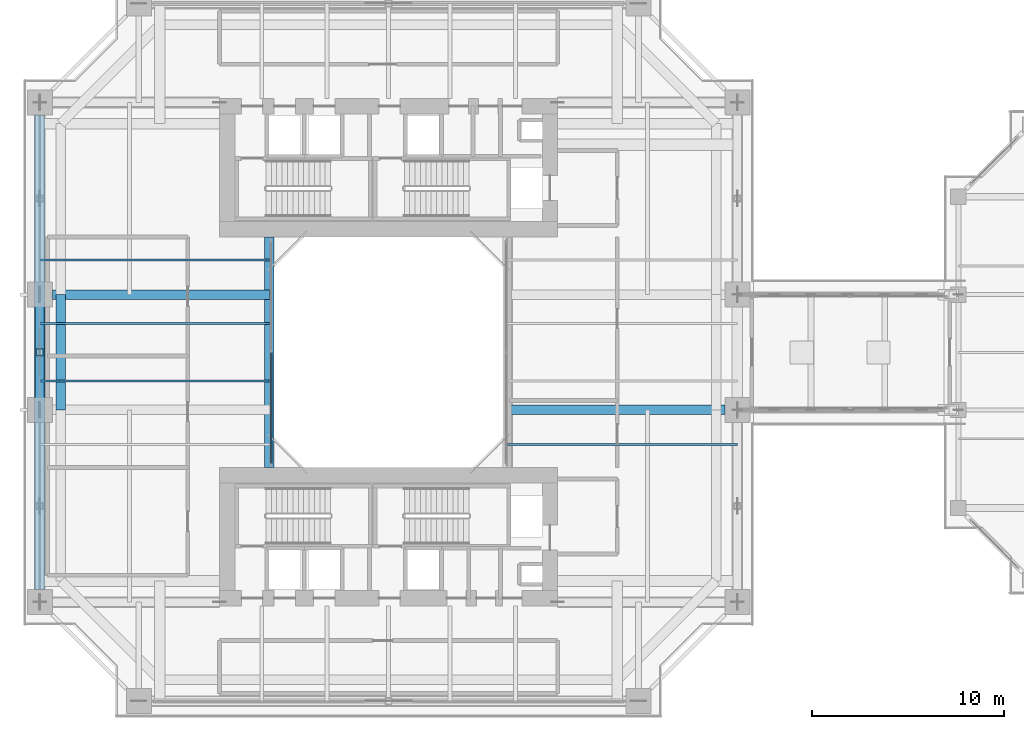
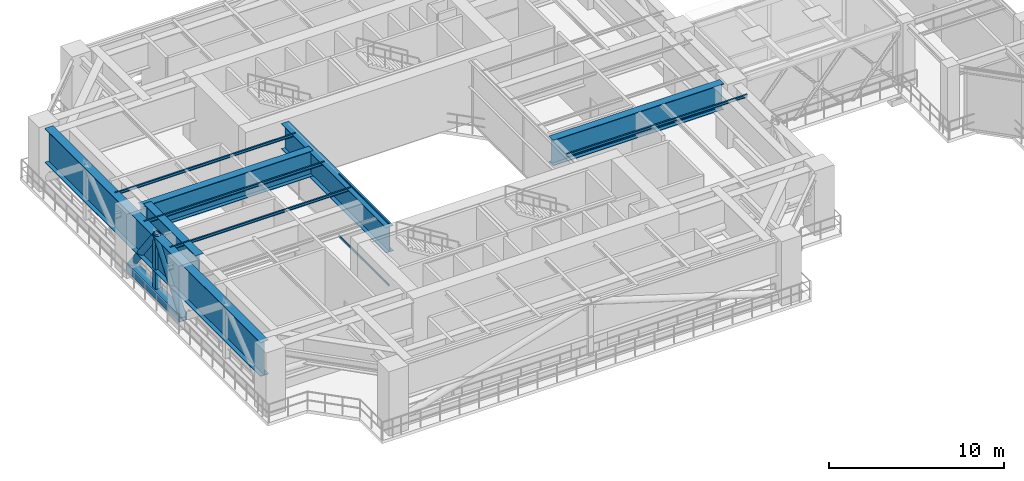
# One storey, part 3 of 25: 9 beams, 6 members, 1 element without a shape of its own.
"""IFC4 building model written with IfcOpenShell, lengths in metres."""

from ifc_helpers import new_model, si_unit, direction, frame, origin, origin_2d, place, context, subcontext, project, spatial, rectangle, hollow_rectangle, hollow_circle, i_section, extrude, source, transform, mapped, material, layer, layer_set, material_profile, profile_set, type_object, element, aggregate, save


model = new_model("IFC4")

# Units and contexts
model_context = context("Model", 3, precision=1e-05, world=origin(), true_north=direction((0.0, 1.0)))
body_context = subcontext(model_context, "Body", "Model", "MODEL_VIEW")
ifc_project = project(units=[si_unit("LENGTHUNIT", "METRE"), si_unit("AREAUNIT", "SQUARE_METRE"), si_unit("VOLUMEUNIT", "CUBIC_METRE"), si_unit("PLANEANGLEUNIT", "RADIAN"), si_unit("MASSUNIT", "GRAM", prefix="KILO"), si_unit("THERMODYNAMICTEMPERATUREUNIT", "KELVIN"), si_unit("POWERUNIT", "WATT")], contexts=[model_context])

# Site, building, storey
site_placement = place(None, origin())
site = spatial("IfcSite", under=ifc_project, at=site_placement, CompositionType="ELEMENT")
building_placement = place(site_placement, origin())
building = spatial("IfcBuilding", under=site, at=building_placement, Name="Qiaomeng Ring Towers", CompositionType="ELEMENT")
storey_placement = place(building_placement, frame((0.0, 0.0, 92.5)))
storey = spatial("IfcBuildingStorey", under=building, at=storey_placement, Name="L26", CompositionType="ELEMENT", Elevation=92.5)

# Beams
ifc_material_1 = material(Name="Steel Q355B", Category="steel")
ifc_material_profile_1 = material_profile(ifc_material_1, i_section(OverallWidth=0.10009765625, OverallDepth=0.199951171875, WebThickness=0.005615234375, FlangeThickness=0.008056640625, FilletRadius=0.010986328125, at=origin_2d()), Name="HN 200x100x5.5x8")
ifc_profile_set_1 = profile_set([ifc_material_profile_1], Name="Steel Q355B")
beam_type_1 = type_object("IfcBeamType", Name="STR-BM-HN200", PredefinedType="JOIST", material=ifc_profile_set_1)
shared_shape_1 = source(origin(), body_context, "Body", "SweptSolid", [
    extrude(i_section(OverallWidth=0.10009765625, OverallDepth=0.199951171875, WebThickness=0.005615234375, FlangeThickness=0.008056640625, FilletRadius=0.010986328125, at=origin_2d()), origin(), (0.0, 0.0, 1.0), 11.949951171875),
])
for number, where, z_axis, x_axis, name in (
    (1, (25.199951171875, 18.199951171875, 4.219970703125), (1.0, 0.0, 0.0), (0.0, 1.0, 0.0), "L26 beam STR-JST-L26-T1E-1"),
    (2, (0.85009765625, 21.5, 4.219970703125), (1.0, 0.0, 0.0), (0.0, 1.0, 0.0), "L26 beam STR-JST-L26-T1W-2"),
    (3, (0.85009765625, 24.5, 4.219970703125), (1.0, 0.0, 0.0), (0.0, 1.0, 0.0), "L26 beam STR-JST-L26-T1W-3"),
    (4, (0.85009765625, 27.800048828125, 4.219970703125), (1.0, 0.0, 0.0), (0.0, 1.0, 0.0), "L26 beam STR-JST-L26-T1W-4"),
):
    element("IfcBeam", number, at=place(storey_placement, frame(where, z_axis=z_axis, x_axis=x_axis)), inside=storey, type_object=beam_type_1, Name=name, PredefinedType="JOIST", context=body_context, shape_type="MappedRepresentation", body=[
        mapped(shared_shape_1, transform((0.0, 0.0, 0.0), x_axis=(1.0, 0.0, 0.0), y_axis=(0.0, 1.0, 0.0), z_axis=(0.0, 0.0, 1.0), scale=1.0)),
    ])

# Members
ifc_material_2 = material(Name="Steel Q390GJC", Category="steel")
ifc_material_profile_2 = material_profile(ifc_material_2, hollow_rectangle(XDim=0.35009765625, YDim=0.35009765625, WallThickness=0.02001953125, at=origin_2d()), Name="SHS 350x350x20")
ifc_profile_set_2 = profile_set([ifc_material_profile_2], Name="Steel Q390GJC")
member_type_1 = type_object("IfcMemberType", Name="STR-MB-POST-350", PredefinedType="POST", material=ifc_profile_set_2)
shared_shape_2 = source(origin(), body_context, "Body", "SweptSolid", [
    extrude(hollow_rectangle(XDim=0.35009765625, YDim=0.35009765625, WallThickness=0.02001953125, at=origin_2d()), origin(), (0.0, 0.0, 1.0), 4.0),
])
member_1_placement = place(storey_placement, frame((0.85009765625, 23.0, 0.320068359375), z_axis=(0.0, 0.0, 1.0), x_axis=(1.0, 0.0, 0.0)))
element("IfcMember", 5, at=member_1_placement, inside=storey, type_object=member_type_1, Name="L26 Belt Truss Post W3-W2", PredefinedType="POST", context=body_context, shape_type="MappedRepresentation", body=[
    mapped(shared_shape_2, transform((0.0, 0.0, 0.0), x_axis=(1.0, 0.0, 0.0), y_axis=(0.0, 1.0, 0.0), z_axis=(0.0, 0.0, 1.0), scale=1.0)),
])
ifc_material_profile_3 = material_profile(ifc_material_2, hollow_rectangle(XDim=0.550048828125, YDim=0.550048828125, WallThickness=0.031982421875, at=origin_2d()), Name="SHS 550x550x32")
ifc_profile_set_3 = profile_set([ifc_material_profile_3], Name="Steel Q390GJC")
member_type_2 = type_object("IfcMemberType", Name="STR-MB-CHORD-550", PredefinedType="CHORD", material=ifc_profile_set_3)
shared_shape_3 = source(origin(), body_context, "Body", "SweptSolid", [
    extrude(hollow_rectangle(XDim=0.550048828125, YDim=0.550048828125, WallThickness=0.031982421875, at=origin_2d()), origin(), (0.0, 0.0, 1.0), 6.0),
])
member_2_placement = place(storey_placement, frame((0.85009765625, 26.0, 0.320068359375), z_axis=(0.0, -1.0, 0.0), x_axis=(1.0, 0.0, 0.0)))
element("IfcMember", 6, at=member_2_placement, inside=storey, type_object=member_type_2, Name="L26 Belt Truss Bottom Chord W3-W2", PredefinedType="CHORD", context=body_context, shape_type="MappedRepresentation", body=[
    mapped(shared_shape_3, transform((0.0, 0.0, 0.0), x_axis=(1.0, 0.0, 0.0), y_axis=(0.0, 1.0, 0.0), z_axis=(0.0, 0.0, 1.0), scale=1.0)),
])
ifc_material_profile_4 = material_profile(ifc_material_2, hollow_circle(Radius=0.228515625, WallThickness=0.028076171875, at=origin_2d()), Name="CHS 457x28")
ifc_profile_set_4 = profile_set([ifc_material_profile_4], Name="Steel Q390GJC")
member_type_3 = type_object("IfcMemberType", Name="STR-MB-BR-457", PredefinedType="BRACE", material=ifc_profile_set_4)
shared_shape_4 = source(origin(), body_context, "Body", "SweptSolid", [
    extrude(hollow_circle(Radius=0.228515625, WallThickness=0.028076171875, at=origin_2d()), origin(), (0.0, 0.0, 1.0), 4.98388671875),
])
for number, where, z_axis, x_axis, name in (
    (7, (0.85009765625, 26.0, 0.320068359375), (0.0, -0.601926302674, 0.798551642757), (1.0, 0.0, 0.0), "L26 Belt Truss Diagonal W3-M"),
    (8, (0.85009765625, 20.0, 0.320068359375), (0.0, 0.601926302674, 0.798551642757), (-1.0, 0.0, 0.0), "L26 Belt Truss Diagonal W2-M"),
):
    element("IfcMember", number, at=place(storey_placement, frame(where, z_axis=z_axis, x_axis=x_axis)), inside=storey, type_object=member_type_3, Name=name, PredefinedType="BRACE", context=body_context, shape_type="MappedRepresentation", body=[
        mapped(shared_shape_4, transform((0.0, 0.0, 0.0), x_axis=(1.0, 0.0, 0.0), y_axis=(0.0, 1.0, 0.0), z_axis=(0.0, 0.0, 1.0), scale=1.0)),
    ])

# Beams
ifc_material_profile_5 = material_profile(ifc_material_2, i_section(OverallWidth=0.550048828125, OverallDepth=2.39990234375, WebThickness=0.02587890625, FlangeThickness=0.035888671875, at=origin_2d()), Name="WH 2400x550x26x36")
ifc_profile_set_5 = profile_set([ifc_material_profile_5], Name="Steel Q390GJC")
beam_type_2 = type_object("IfcBeamType", Name="STR-TG-WH2400", PredefinedType="USERDEFINED", material=ifc_profile_set_5)
shared_shape_5 = source(origin(), body_context, "Body", "SweptSolid", [
    extrude(i_section(OverallWidth=0.550048828125, OverallDepth=2.39990234375, WebThickness=0.02587890625, FlangeThickness=0.035888671875, at=origin_2d()), origin(), (0.0, 0.0, 1.0), 24.7021484375),
])
beam_1_placement = place(storey_placement, frame((0.85009765625, 10.64892578125, 3.1201171875), z_axis=(0.0, 1.0, 0.0), x_axis=(-1.0, 0.0, 0.0)))
element("IfcBeam", 9, at=beam_1_placement, inside=storey, type_object=beam_type_2, Name="L26 Transfer Girder STR-TG2-L26-OUT-W", ObjectType="TRANSFER GIRDER", PredefinedType="USERDEFINED", context=body_context, shape_type="MappedRepresentation", body=[
    mapped(shared_shape_5, transform((0.0, 0.0, 0.0), x_axis=(1.0, 0.0, 0.0), y_axis=(0.0, 1.0, 0.0), z_axis=(0.0, 0.0, 1.0), scale=1.0)),
])
ifc_material_profile_6 = material_profile(ifc_material_2, i_section(OverallWidth=0.5, OverallDepth=1.800048828125, WebThickness=0.02392578125, FlangeThickness=0.035888671875, at=origin_2d()), Name="WH 1800x500x24x36")
ifc_profile_set_6 = profile_set([ifc_material_profile_6], Name="Steel Q390GJC")
beam_type_3 = type_object("IfcBeamType", Name="STR-TG-WH1800", PredefinedType="USERDEFINED", material=ifc_profile_set_6)
shared_shape_6 = source(origin(), body_context, "Body", "SweptSolid", [
    extrude(i_section(OverallWidth=0.5, OverallDepth=1.800048828125, WebThickness=0.02392578125, FlangeThickness=0.035888671875, at=origin_2d()), origin(), (0.0, 0.0, 1.0), 12.0),
])
beam_2_placement = place(storey_placement, frame((12.800048828125, 17.0, 3.419921875), z_axis=(0.0, 1.0, 0.0), x_axis=(-1.0, 0.0, 0.0)))
element("IfcBeam", 10, at=beam_2_placement, inside=storey, type_object=beam_type_3, Name="L26 Transfer Girder STR-TG2-L26-WELL-W", ObjectType="TRANSFER GIRDER", PredefinedType="USERDEFINED", context=body_context, shape_type="MappedRepresentation", body=[
    mapped(shared_shape_6, transform((0.0, 0.0, 0.0), x_axis=(1.0, 0.0, 0.0), y_axis=(0.0, 1.0, 0.0), z_axis=(0.0, 0.0, 1.0), scale=1.0)),
])
shared_shape_7 = source(origin(), body_context, "Body", "SweptSolid", [
    extrude(i_section(OverallWidth=0.5, OverallDepth=1.800048828125, WebThickness=0.02392578125, FlangeThickness=0.035888671875, at=origin_2d()), origin(), (0.0, 0.0, 1.0), 11.301025390625),
])
for number, where, z_axis, x_axis, name in (
    (11, (1.4990234375, 26.0, 3.419921875), (1.0, 0.0, 0.0), (0.0, 1.0, 0.0), "L26 Transfer Girder STR-TG2-L26-W3"),
    (12, (25.199951171875, 20.0, 3.419921875), (1.0, 0.0, 0.0), (0.0, 1.0, 0.0), "L26 Transfer Girder STR-TG2-L26-E2"),
):
    element("IfcBeam", number, at=place(storey_placement, frame(where, z_axis=z_axis, x_axis=x_axis)), inside=storey, type_object=beam_type_3, Name=name, ObjectType="TRANSFER GIRDER", PredefinedType="USERDEFINED", context=body_context, shape_type="MappedRepresentation", body=[
        mapped(shared_shape_7, transform((0.0, 0.0, 0.0), x_axis=(1.0, 0.0, 0.0), y_axis=(0.0, 1.0, 0.0), z_axis=(0.0, 0.0, 1.0), scale=1.0)),
    ])
shared_shape_8 = source(origin(), body_context, "Body", "SweptSolid", [
    extrude(i_section(OverallWidth=0.5, OverallDepth=1.800048828125, WebThickness=0.02392578125, FlangeThickness=0.035888671875, at=origin_2d()), origin(), (0.0, 0.0, 1.0), 6.0),
])
beam_3_placement = place(storey_placement, frame((1.949951171875, 26.0, 3.419921875), z_axis=(0.0, -1.0, 0.0), x_axis=(1.0, 0.0, 0.0)))
element("IfcBeam", 13, at=beam_3_placement, inside=storey, type_object=beam_type_3, Name="L26 Transfer Girder STR-TG3-L26-W3-W2", ObjectType="TRANSFER GIRDER", PredefinedType="USERDEFINED", context=body_context, shape_type="MappedRepresentation", body=[
    mapped(shared_shape_8, transform((0.0, 0.0, 0.0), x_axis=(1.0, 0.0, 0.0), y_axis=(0.0, 1.0, 0.0), z_axis=(0.0, 0.0, 1.0), scale=1.0)),
])

# Curtain wall, members
ifc_material_3 = material(Name="Fluorocarbon dark-grey aluminium", Category="aluminium")
ifc_layer = layer(ifc_material_3, 0.139892578125, Name="Fluorocarbon dark-grey aluminium")
ifc_layer_set = layer_set([ifc_layer], Name="Fluorocarbon dark-grey aluminium")
curtain_wall_type = type_object("IfcCurtainWallType", Name="ARC-CW-4", PredefinedType="NOTDEFINED", material=ifc_layer_set)
curtain_wall_placement = place(storey_placement, origin())
curtain_wall = element("IfcCurtainWall", 14, at=curtain_wall_placement, inside=storey, type_object=curtain_wall_type, Name="L26 Curtain Wall CW4", PredefinedType="NOTDEFINED")
ifc_material_profile_7 = material_profile(ifc_material_3, rectangle(XDim=0.06494140625, YDim=0.1298828125, at=origin_2d()), Name="ALU TRAN 65x130")
ifc_profile_set_7 = profile_set([ifc_material_profile_7], Name="Fluorocarbon dark-grey aluminium")
member_type_4 = type_object("IfcMemberType", Name="ARC-CWT-120", PredefinedType="USERDEFINED", material=ifc_profile_set_7)
shared_shape_9 = source(origin(), body_context, "Body", "SweptSolid", [
    extrude(rectangle(XDim=0.06494140625, YDim=0.1298828125, at=origin_2d()), origin(), (0.0, 0.0, 1.0), 5.75244140625),
])
member_3_placement = place(storey_placement, frame((12.8798828125, 17.215087890625, 0.032470703125), z_axis=(0.0, 1.0, 0.0), x_axis=(-1.0, 0.0, 0.0)))
member_3 = element("IfcMember", 15, at=member_3_placement, type_object=member_type_4, Name="CW4 transom 1.1", ObjectType="TRANSOM", PredefinedType="USERDEFINED", context=body_context, shape_type="MappedRepresentation", body=[
    mapped(shared_shape_9, transform((0.0, 0.0, 0.0), x_axis=(1.0, 0.0, 0.0), y_axis=(0.0, 1.0, 0.0), z_axis=(0.0, 0.0, 1.0), scale=1.0)),
])
member_4_placement = place(storey_placement, frame((12.8798828125, 17.215087890625, 4.28759765625), z_axis=(0.0, 1.0, 0.0), x_axis=(-1.0, 0.0, 0.0)))
member_4 = element("IfcMember", 16, at=member_4_placement, type_object=member_type_4, Name="CW4 transom 1.2", ObjectType="TRANSOM", PredefinedType="USERDEFINED", context=body_context, shape_type="MappedRepresentation", body=[
    mapped(shared_shape_9, transform((0.0, 0.0, 0.0), x_axis=(1.0, 0.0, 0.0), y_axis=(0.0, 1.0, 0.0), z_axis=(0.0, 0.0, 1.0), scale=1.0)),
])
aggregate(curtain_wall, [member_3, member_4])

save(model, "model.ifc")
